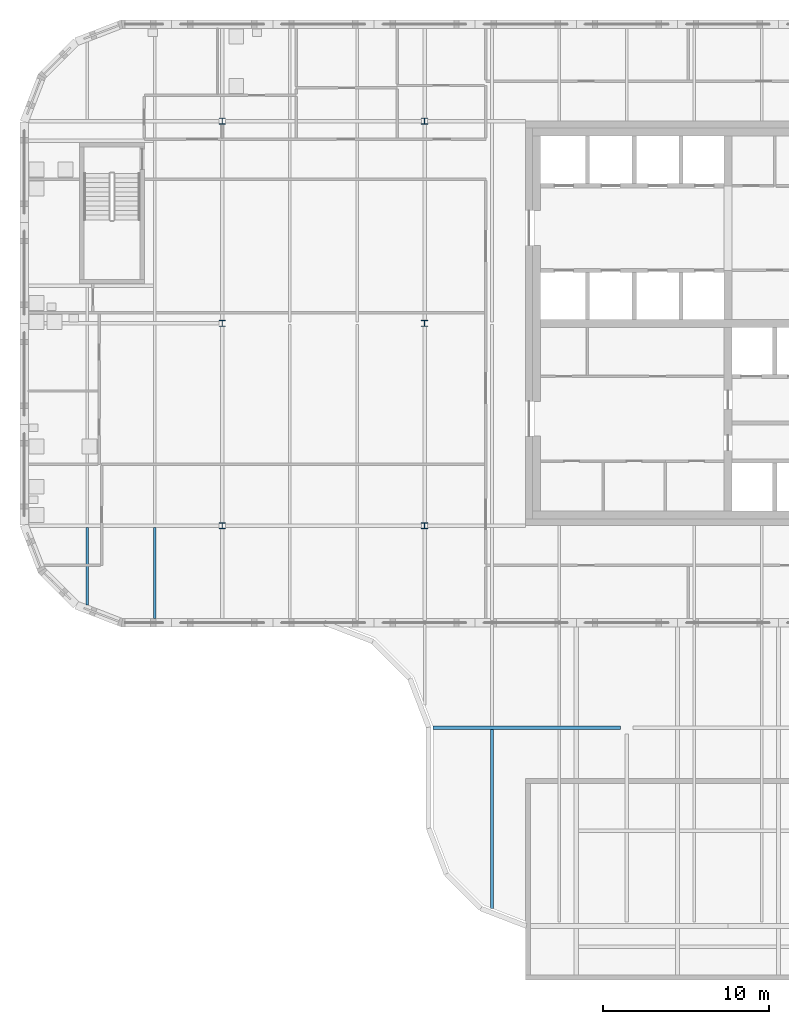
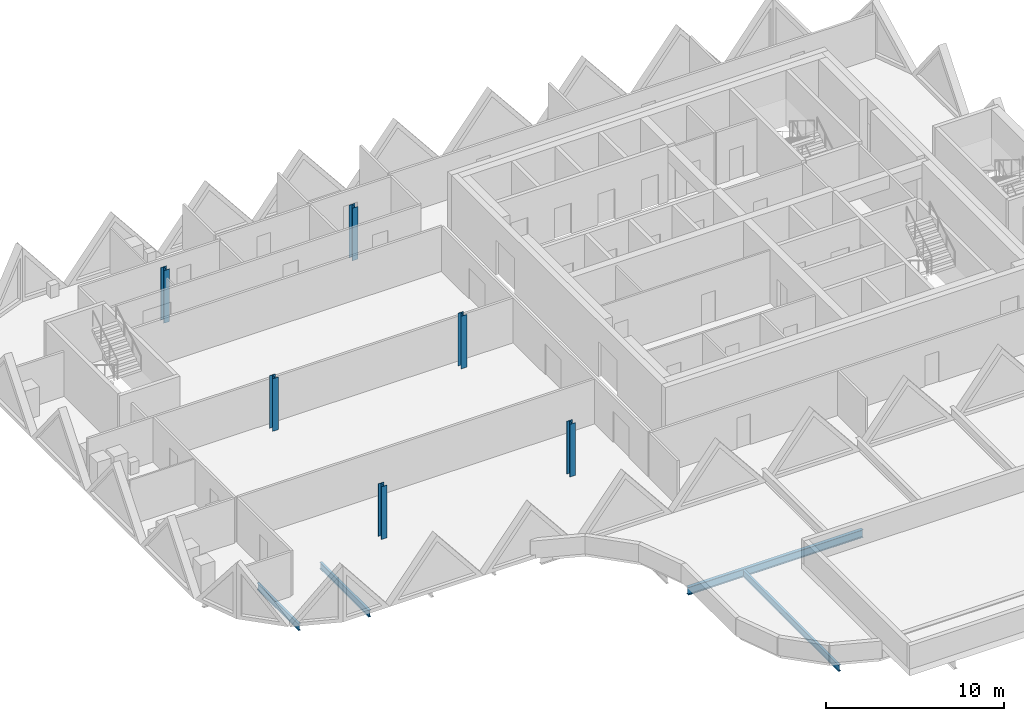
# One storey, part 1 of 12: 6 columns, 4 beams.
"""IFC4 building model written with IfcOpenShell, lengths in metres."""

from ifc_helpers import new_model, si_unit, direction, frame, origin, origin_2d, place, context, subcontext, project, spatial, i_section, extrude, material, material_profile, profile_set, type_object, element, save


model = new_model("IFC4")

# Units and contexts
model_context = context("Model", 3, precision=1e-05, world=origin(), true_north=direction((0.0, 1.0)))
body_context = subcontext(model_context, "Body", "Model", "MODEL_VIEW")
ifc_project = project(units=[si_unit("LENGTHUNIT", "METRE"), si_unit("AREAUNIT", "SQUARE_METRE"), si_unit("VOLUMEUNIT", "CUBIC_METRE"), si_unit("PLANEANGLEUNIT", "RADIAN"), si_unit("MASSUNIT", "GRAM", prefix="KILO")], contexts=[model_context])

# Site, building, storey
site_placement = place(None, origin())
site = spatial("IfcSite", under=ifc_project, at=site_placement, CompositionType="ELEMENT")
building_placement = place(site_placement, origin())
building = spatial("IfcBuilding", under=site, at=building_placement, Name="Tessera Gate Towers", CompositionType="ELEMENT")
storey_placement = place(building_placement, frame((0.0, 0.0, 236.89990234375)))
storey = spatial("IfcBuildingStorey", under=building, at=storey_placement, Name="L59", CompositionType="ELEMENT", Elevation=236.89990234375)

# Columns
ifc_material_1 = material(Name="Steel 350W", Category="steel")
ifc_material_profile_1 = material_profile(ifc_material_1, i_section(OverallWidth=0.373046875, OverallDepth=0.367919921875, WebThickness=0.014892578125, FlangeThickness=0.02392578125, at=origin_2d()), Name="W360x179")
ifc_profile_set_1 = profile_set([ifc_material_profile_1], Name="Steel 350W")
column_type = type_object("IfcColumnType", Name="STEEL COLUMN W360x179", PredefinedType="COLUMN", material=ifc_profile_set_1)
for number, where, z_axis, x_axis, name in (
    (1, (12.199951171875, 24.39990234375, 0.0), (0.0, 0.0, 1.0), (1.0, 0.0, 0.0), "T1-COL-2C-L59"),
    (2, (12.199951171875, 36.60009765625, 0.0), (0.0, 0.0, 1.0), (1.0, 0.0, 0.0), "T1-COL-2D-L59"),
    (3, (12.199951171875, 48.800048828125, 0.0), (0.0, 0.0, 1.0), (1.0, 0.0, 0.0), "T1-COL-2E-L59"),
    (4, (24.39990234375, 24.39990234375, 0.0), (0.0, 0.0, 1.0), (1.0, 0.0, 0.0), "T1-COL-3C-L59"),
    (5, (24.39990234375, 36.60009765625, 0.0), (0.0, 0.0, 1.0), (1.0, 0.0, 0.0), "T1-COL-3D-L59"),
    (6, (24.39990234375, 48.800048828125, 0.0), (0.0, 0.0, 1.0), (1.0, 0.0, 0.0), "T1-COL-3E-L59"),
):
    element("IfcColumn", number, at=place(storey_placement, frame(where, z_axis=z_axis, x_axis=x_axis)), inside=storey, type_object=column_type, Name=name, PredefinedType="COLUMN", context=body_context, shape_type="SweptSolid", body=[
        extrude(i_section(OverallWidth=0.373046875, OverallDepth=0.367919921875, WebThickness=0.014892578125, FlangeThickness=0.02392578125, at=origin_2d()), origin(), (0.0, 0.0, 1.0), 3.60009765625),
    ])

# Beams
ifc_material_2 = material(Name="Steel 350W", Category="steel")
ifc_material_profile_2 = material_profile(ifc_material_2, i_section(OverallWidth=0.208984375, OverallDepth=0.532958984375, WebThickness=0.01025390625, FlangeThickness=0.015625, at=origin_2d()), Name="W530x92")
ifc_profile_set_2 = profile_set([ifc_material_profile_2], Name="Steel 350W")
beam_type_1 = type_object("IfcBeamType", Name="FLOOR GIRDER W530x92", PredefinedType="BEAM", material=ifc_profile_set_2)
beam_1_placement = place(storey_placement, frame((24.89892578125, 12.199951171875, -0.71630859375), z_axis=(1.0, 0.0, 0.0), x_axis=(0.0, 1.0, 0.0)))
element("IfcBeam", 7, at=beam_1_placement, inside=storey, type_object=beam_type_1, Name="T1-R-GD-L59-5985", PredefinedType="BEAM", context=body_context, shape_type="SweptSolid", body=[
    extrude(i_section(OverallWidth=0.208984375, OverallDepth=0.532958984375, WebThickness=0.01025390625, FlangeThickness=0.015625, at=origin_2d()), origin(), (0.0, 0.0, 1.0), 11.326171875),
])
ifc_material_3 = material(Name="Steel 350W", Category="steel")
ifc_material_profile_3 = material_profile(ifc_material_3, i_section(OverallWidth=0.153076171875, OverallDepth=0.455078125, WebThickness=0.008056640625, FlangeThickness=0.01318359375, at=origin_2d()), Name="W460x60")
ifc_profile_set_3 = profile_set([ifc_material_profile_3], Name="Steel 350W")
beam_type_2 = type_object("IfcBeamType", Name="FLOOR SECONDARY W460x60", PredefinedType="BEAM", material=ifc_profile_set_3)
beam_2_placement = place(storey_placement, frame((4.066650390625, 19.620361328125, -0.427490234375), z_axis=(0.0, 1.0, 0.0), x_axis=(-1.0, 0.0, 0.0)))
element("IfcBeam", 8, at=beam_2_placement, inside=storey, type_object=beam_type_2, Name="T1-BM-L59-5951", PredefinedType="BEAM", context=body_context, shape_type="SweptSolid", body=[
    extrude(i_section(OverallWidth=0.153076171875, OverallDepth=0.455078125, WebThickness=0.008056640625, FlangeThickness=0.01318359375, at=origin_2d()), origin(), (0.0, 0.0, 1.0), 4.675048828125),
])
beam_3_placement = place(storey_placement, frame((8.13330078125, 18.800048828125, -0.427490234375), z_axis=(0.0, 1.0, 0.0), x_axis=(-1.0, 0.0, 0.0)))
element("IfcBeam", 9, at=beam_3_placement, inside=storey, type_object=beam_type_2, Name="T1-BM-L59-5955", PredefinedType="BEAM", context=body_context, shape_type="SweptSolid", body=[
    extrude(i_section(OverallWidth=0.153076171875, OverallDepth=0.455078125, WebThickness=0.008056640625, FlangeThickness=0.01318359375, at=origin_2d()), origin(), (0.0, 0.0, 1.0), 5.495361328125),
])
beam_4_placement = place(storey_placement, frame((28.466796875, 1.3203125, -0.677490234375), z_axis=(0.0, 1.0, 0.0), x_axis=(-1.0, 0.0, 0.0)))
element("IfcBeam", 10, at=beam_4_placement, inside=storey, type_object=beam_type_2, Name="T1-R-BM-L59-5991", PredefinedType="BEAM", context=body_context, shape_type="SweptSolid", body=[
    extrude(i_section(OverallWidth=0.153076171875, OverallDepth=0.455078125, WebThickness=0.008056640625, FlangeThickness=0.01318359375, at=origin_2d()), origin(), (0.0, 0.0, 1.0), 10.775146484375),
])

save(model, "model.ifc")
